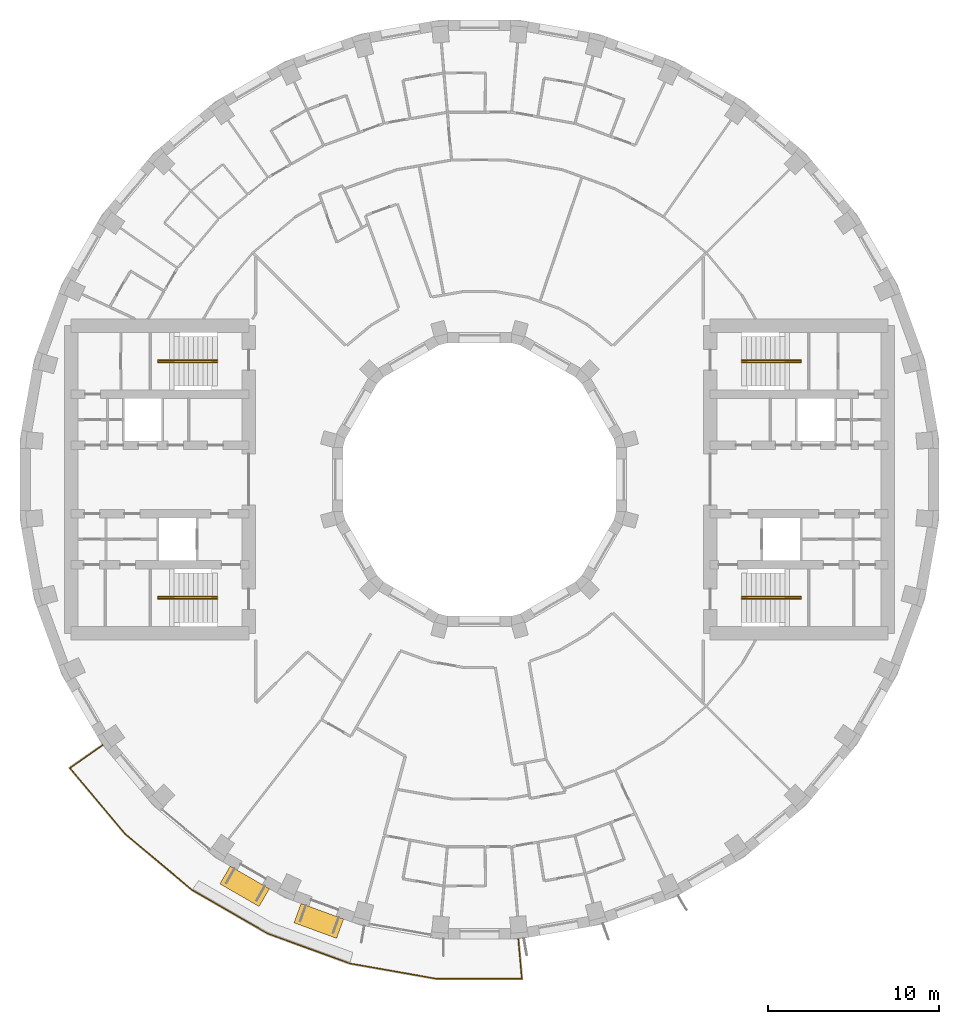
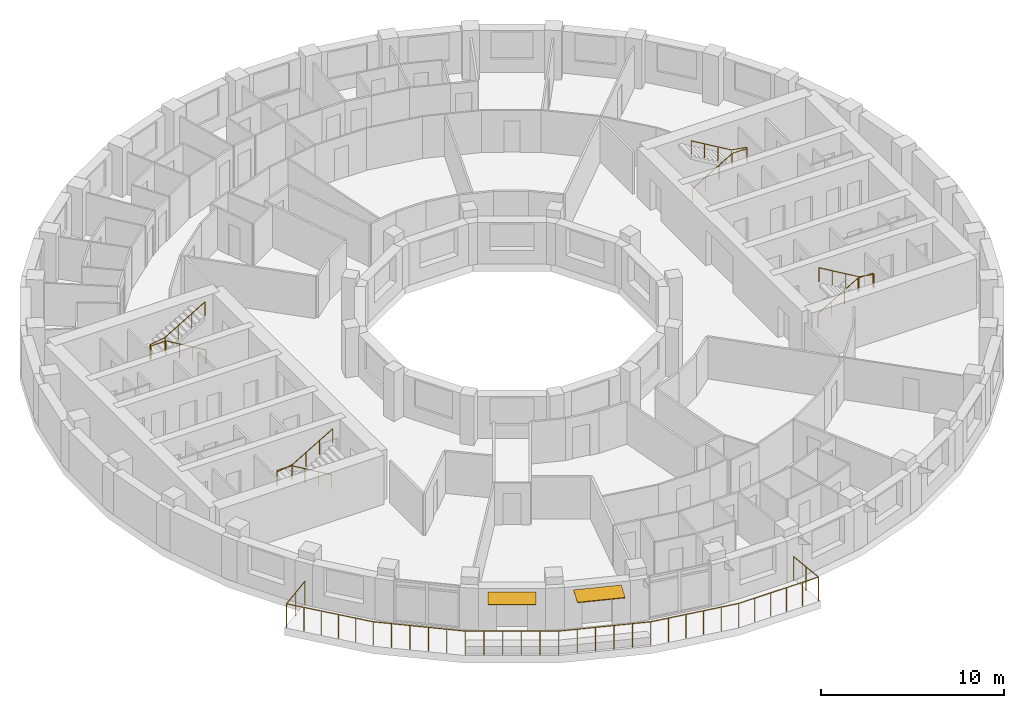
# One storey, part 14 of 14: 5 railings, 2 shading devices.
"""IFC4 building model written with IfcOpenShell, lengths in metres."""

from ifc_helpers import new_model, si_unit, direction, frame, origin, origin_2d, place, context, subcontext, project, spatial, rectangle, circle, extrude, material, layer, layer_set, type_object, element, save


model = new_model("IFC4")

# Units and contexts
model_context = context("Model", 3, precision=1e-05, world=origin(), true_north=direction((0.0, 1.0)))
body_context = subcontext(model_context, "Body", "Model", "MODEL_VIEW")
ifc_project = project(units=[si_unit("LENGTHUNIT", "METRE"), si_unit("AREAUNIT", "SQUARE_METRE"), si_unit("VOLUMEUNIT", "CUBIC_METRE"), si_unit("PLANEANGLEUNIT", "RADIAN"), si_unit("MASSUNIT", "GRAM", prefix="KILO")], contexts=[model_context])

# Site, building, storey
site_placement = place(None, origin())
site = spatial("IfcSite", under=ifc_project, at=site_placement, CompositionType="ELEMENT")
building_placement = place(site_placement, origin())
building = spatial("IfcBuilding", under=site, at=building_placement, Name="Saqina Gate Tower", CompositionType="ELEMENT")
storey_placement = place(building_placement, frame((0.0, 0.0, 138.10009765625)))
storey = spatial("IfcBuildingStorey", under=building, at=storey_placement, Name="L39", CompositionType="ELEMENT", Elevation=138.10009765625)

# Shading devices
ifc_material_1 = material(Name="Aluminium and fabric awning", Category="aluminium")
ifc_layer = layer(ifc_material_1, 0.050048828125)
ifc_layer_set = layer_set([ifc_layer], Name="AW-TERRACE")
shading_device_type = type_object("IfcShadingDeviceType", Name="AW-TERRACE", PredefinedType="AWNING", material=ifc_layer_set)
for number, where, z_axis, x_axis, name in (
    (1, (-13.74853515625, -23.813232421875, 2.52490234375), (0.0, 0.0, 1.0), (0.866025403784, -0.5, 0.0), "Terrace awning L39 facet 24"),
    (2, (-9.404541015625, -25.839111328125, 2.52490234375), (0.0, 0.0, 1.0), (0.939692620786, -0.342020143326, 0.0), "Terrace awning L39 facet 25"),
):
    element("IfcShadingDevice", number, at=place(storey_placement, frame(where, z_axis=z_axis, x_axis=x_axis)), inside=storey, type_object=shading_device_type, Name=name, PredefinedType="AWNING", context=body_context, shape_type="SweptSolid", body=[
        extrude(rectangle(XDim=2.647705078125, YDim=1.199951171875, at=origin_2d()), origin(), (0.0, 0.0, 1.0), 0.050048828125),
    ])

# Railings
ifc_material_2 = material(Name="Stainless steel", Category="steel")
railing_type_1 = type_object("IfcRailingType", Name="RL-TERRACE", PredefinedType="GUARDRAIL", material=ifc_material_2)
railing_1_placement = place(storey_placement, frame((-22.022216796875, -15.517578125, 0.0)))
element("IfcRailing", 3, at=railing_1_placement, inside=storey, type_object=railing_type_1, Name="Terrace guard L39", PredefinedType="GUARDRAIL", context=body_context, shape_type="SweptSolid", body=[
    extrude(circle(Radius=0.02392578125, at=origin_2d()), frame((0.0, 0.0, 1.576171875), z_axis=(-0.819111872113, -0.573633803889, 0.0), x_axis=(0.573633803889, -0.819111872113, 0.0)), (0.0, 0.0, 1.0), 2.388916015625),
    extrude(circle(Radius=0.02392578125, at=origin_2d()), frame((-1.956787109375, -1.370361328125, 1.576171875), z_axis=(0.643889225098, -0.765118726606, 0.0), x_axis=(0.765118726606, 0.643889225098, 0.0)), (0.0, 0.0, 1.0), 5.03271484375),
    extrude(circle(Radius=0.02392578125, at=origin_2d()), frame((1.28369140625, -5.220947265625, 1.576171875), z_axis=(0.766020862158, -0.642815711334, 0.0), x_axis=(0.642815711334, 0.766020862158, 0.0)), (0.0, 0.0, 1.0), 5.112548828125),
    extrude(circle(Radius=0.02392578125, at=origin_2d()), frame((5.199951171875, -8.50732421875, 1.576171875), z_axis=(0.866018575041, -0.500011827544, 0.0), x_axis=(0.500011827544, 0.866018575041, 0.0)), (0.0, 0.0, 1.0), 5.1123046875),
    extrude(circle(Radius=0.02392578125, at=origin_2d()), frame((9.627197265625, -11.0634765625, 1.576171875), z_axis=(0.939695786518, -0.342011445423, 0.0), x_axis=(0.342011445423, 0.939695786518, 0.0)), (0.0, 0.0, 1.0), 5.112548828125),
    extrude(circle(Radius=0.02392578125, at=origin_2d()), frame((14.431396484375, -12.81201171875, 1.576171875), z_axis=(0.984809508757, -0.173638220049, 0.0), x_axis=(0.173638220049, 0.984809508757, 0.0)), (0.0, 0.0, 1.0), 5.1123046875),
    extrude(circle(Radius=0.02392578125, at=origin_2d()), frame((19.466064453125, -13.69970703125, 1.576171875), z_axis=(0.999999077512, -0.001358298931, 0.0), x_axis=(0.001358298931, 0.999999077512, 0.0)), (0.0, 0.0, 1.0), 5.03271484375),
    extrude(circle(Radius=0.02392578125, at=origin_2d()), frame((24.498779296875, -13.70654296875, 1.576171875), z_axis=(-0.087180896688, 0.996192497087, 0.0), x_axis=(-0.996192497087, -0.087180896688, 0.0)), (0.0, 0.0, 1.0), 2.388671875),
    extrude(circle(Radius=0.02099609375, at=origin_2d()), origin(), (0.0, 0.0, 1.0), 1.552001953125),
    extrude(circle(Radius=0.02099609375, at=origin_2d()), frame((-0.978515625, -0.68505859375, 0.0)), (0.0, 0.0, 1.0), 1.552001953125),
    extrude(circle(Radius=0.02099609375, at=origin_2d()), frame((-1.956787109375, -1.370361328125, 0.0)), (0.0, 0.0, 1.0), 1.552001953125),
    extrude(circle(Radius=0.02099609375, at=origin_2d()), frame((-1.30859375, -2.140380859375, 0.0)), (0.0, 0.0, 1.0), 1.552001953125),
    extrude(circle(Radius=0.02099609375, at=origin_2d()), frame((-0.66064453125, -2.91064453125, 0.0)), (0.0, 0.0, 1.0), 1.552001953125),
    extrude(circle(Radius=0.02099609375, at=origin_2d()), frame((-0.012451171875, -3.6806640625, 0.0)), (0.0, 0.0, 1.0), 1.552001953125),
    extrude(circle(Radius=0.02099609375, at=origin_2d()), frame((0.635498046875, -4.450927734375, 0.0)), (0.0, 0.0, 1.0), 1.552001953125),
    extrude(circle(Radius=0.02099609375, at=origin_2d()), frame((1.28369140625, -5.220947265625, 0.0)), (0.0, 0.0, 1.0), 1.552001953125),
    extrude(circle(Radius=0.02099609375, at=origin_2d()), frame((2.06689453125, -5.878173828125, 0.0)), (0.0, 0.0, 1.0), 1.552001953125),
    extrude(circle(Radius=0.02099609375, at=origin_2d()), frame((2.85009765625, -6.535400390625, 0.0)), (0.0, 0.0, 1.0), 1.552001953125),
    extrude(circle(Radius=0.02099609375, at=origin_2d()), frame((3.633544921875, -7.19287109375, 0.0)), (0.0, 0.0, 1.0), 1.552001953125),
    extrude(circle(Radius=0.02099609375, at=origin_2d()), frame((4.416748046875, -7.85009765625, 0.0)), (0.0, 0.0, 1.0), 1.552001953125),
    extrude(circle(Radius=0.02099609375, at=origin_2d()), frame((5.199951171875, -8.50732421875, 0.0)), (0.0, 0.0, 1.0), 1.552001953125),
    extrude(circle(Radius=0.02099609375, at=origin_2d()), frame((6.08544921875, -9.0185546875, 0.0)), (0.0, 0.0, 1.0), 1.552001953125),
    extrude(circle(Radius=0.02099609375, at=origin_2d()), frame((6.970947265625, -9.52978515625, 0.0)), (0.0, 0.0, 1.0), 1.552001953125),
    extrude(circle(Radius=0.02099609375, at=origin_2d()), frame((7.856201171875, -10.041015625, 0.0)), (0.0, 0.0, 1.0), 1.552001953125),
    extrude(circle(Radius=0.02099609375, at=origin_2d()), frame((8.74169921875, -10.55224609375, 0.0)), (0.0, 0.0, 1.0), 1.552001953125),
    extrude(circle(Radius=0.02099609375, at=origin_2d()), frame((9.627197265625, -11.0634765625, 0.0)), (0.0, 0.0, 1.0), 1.552001953125),
    extrude(circle(Radius=0.02099609375, at=origin_2d()), frame((10.588134765625, -11.4130859375, 0.0)), (0.0, 0.0, 1.0), 1.552001953125),
    extrude(circle(Radius=0.02099609375, at=origin_2d()), frame((11.548828125, -11.762939453125, 0.0)), (0.0, 0.0, 1.0), 1.552001953125),
    extrude(circle(Radius=0.02099609375, at=origin_2d()), frame((12.509765625, -12.112548828125, 0.0)), (0.0, 0.0, 1.0), 1.552001953125),
    extrude(circle(Radius=0.02099609375, at=origin_2d()), frame((13.470458984375, -12.46240234375, 0.0)), (0.0, 0.0, 1.0), 1.552001953125),
    extrude(circle(Radius=0.02099609375, at=origin_2d()), frame((14.431396484375, -12.81201171875, 0.0)), (0.0, 0.0, 1.0), 1.552001953125),
    extrude(circle(Radius=0.02099609375, at=origin_2d()), frame((15.438232421875, -12.989501953125, 0.0)), (0.0, 0.0, 1.0), 1.552001953125),
    extrude(circle(Radius=0.02099609375, at=origin_2d()), frame((16.4453125, -13.1669921875, 0.0)), (0.0, 0.0, 1.0), 1.552001953125),
    extrude(circle(Radius=0.02099609375, at=origin_2d()), frame((17.4521484375, -13.3447265625, 0.0)), (0.0, 0.0, 1.0), 1.552001953125),
    extrude(circle(Radius=0.02099609375, at=origin_2d()), frame((18.459228515625, -13.522216796875, 0.0)), (0.0, 0.0, 1.0), 1.552001953125),
    extrude(circle(Radius=0.02099609375, at=origin_2d()), frame((19.466064453125, -13.69970703125, 0.0)), (0.0, 0.0, 1.0), 1.552001953125),
    extrude(circle(Radius=0.02099609375, at=origin_2d()), frame((20.47265625, -13.701171875, 0.0)), (0.0, 0.0, 1.0), 1.552001953125),
    extrude(circle(Radius=0.02099609375, at=origin_2d()), frame((21.479248046875, -13.702392578125, 0.0)), (0.0, 0.0, 1.0), 1.552001953125),
    extrude(circle(Radius=0.02099609375, at=origin_2d()), frame((22.485595703125, -13.703857421875, 0.0)), (0.0, 0.0, 1.0), 1.552001953125),
    extrude(circle(Radius=0.02099609375, at=origin_2d()), frame((23.4921875, -13.705078125, 0.0)), (0.0, 0.0, 1.0), 1.552001953125),
    extrude(circle(Radius=0.02099609375, at=origin_2d()), frame((24.498779296875, -13.70654296875, 0.0)), (0.0, 0.0, 1.0), 1.552001953125),
    extrude(circle(Radius=0.02099609375, at=origin_2d()), frame((24.39453125, -12.5166015625, 0.0)), (0.0, 0.0, 1.0), 1.552001953125),
    extrude(circle(Radius=0.02099609375, at=origin_2d()), frame((24.29052734375, -11.326904296875, 0.0)), (0.0, 0.0, 1.0), 1.552001953125),
])
ifc_material_3 = material(Name="Stainless steel", Category="steel")
railing_type_2 = type_object("IfcRailingType", Name="STAIR HANDRAIL", PredefinedType="HANDRAIL", material=ifc_material_3)
railing_2_placement = place(storey_placement, frame((15.35009765625, 6.86669921875, 0.164794921875)))
element("IfcRailing", 4, at=railing_2_placement, inside=storey, type_object=railing_type_2, Name="EXIT STAIR 1 HANDRAIL", PredefinedType="HANDRAIL", context=body_context, shape_type="SweptSolid", body=[
    extrude(circle(Radius=0.02392578125, at=origin_2d()), frame((0.0, 0.0, 0.92578125), z_axis=(0.86152411907, 0.0, 0.507716645641), x_axis=(0.0, 1.0, 0.0)), (0.0, 0.0, 1.0), 2.925048828125),
    extrude(circle(Radius=0.02392578125, at=origin_2d()), frame((2.52001953125, 0.0, 2.4111328125), z_axis=(1.0, 0.0, 0.0), x_axis=(0.0, 1.0, 0.0)), (0.0, 0.0, 1.0), 0.949951171875),
    extrude(circle(Radius=0.02392578125, at=origin_2d()), frame((3.469970703125, 0.0, 2.4111328125), z_axis=(0.0, 1.0, 0.0), x_axis=(-1.0, 0.0, 0.0)), (0.0, 0.0, 1.0), 0.11669921875),
    extrude(circle(Radius=0.02392578125, at=origin_2d()), frame((3.469970703125, 0.11669921875, 2.4111328125), z_axis=(-0.985241474778, 0.0, 0.171170197109), x_axis=(0.0, -1.0, 0.0)), (0.0, 0.0, 1.0), 0.964111328125),
    extrude(circle(Radius=0.02392578125, at=origin_2d()), frame((2.52001953125, 0.11669921875, 2.576171875), z_axis=(-0.861560626758, 0.0, 0.507654692109), x_axis=(0.0, -1.0, 0.0)), (0.0, 0.0, 1.0), 2.925048828125),
    extrude(circle(Radius=0.02099609375, at=origin_2d()), origin(), (0.0, 0.0, 1.0), 0.90185546875),
    extrude(circle(Radius=0.02099609375, at=origin_2d()), frame((0.840087890625, 0.0, 0.4951171875)), (0.0, 0.0, 1.0), 0.90185546875),
    extrude(circle(Radius=0.02099609375, at=origin_2d()), frame((1.679931640625, 0.0, 0.989990234375)), (0.0, 0.0, 1.0), 0.90185546875),
    extrude(circle(Radius=0.02099609375, at=origin_2d()), frame((2.52001953125, 0.0, 1.485107421875)), (0.0, 0.0, 1.0), 0.90185546875),
    extrude(circle(Radius=0.02099609375, at=origin_2d()), frame((3.469970703125, 0.0, 1.485107421875)), (0.0, 0.0, 1.0), 0.90185546875),
    extrude(circle(Radius=0.02099609375, at=origin_2d()), frame((3.469970703125, 0.11669921875, 1.485107421875)), (0.0, 0.0, 1.0), 0.90185546875),
    extrude(circle(Radius=0.02099609375, at=origin_2d()), frame((2.52001953125, 0.11669921875, 1.650146484375)), (0.0, 0.0, 1.0), 0.90185546875),
    extrude(circle(Radius=0.02099609375, at=origin_2d()), frame((1.679931640625, 0.11669921875, 2.14501953125)), (0.0, 0.0, 1.0), 0.90185546875),
    extrude(circle(Radius=0.02099609375, at=origin_2d()), frame((0.840087890625, 0.11669921875, 2.64013671875)), (0.0, 0.0, 1.0), 0.90185546875),
    extrude(circle(Radius=0.02099609375, at=origin_2d()), frame((0.0, 0.11669921875, 3.135009765625)), (0.0, 0.0, 1.0), 0.90185546875),
])
railing_3_placement = place(storey_placement, frame((15.35009765625, -6.86669921875, 0.164794921875)))
element("IfcRailing", 5, at=railing_3_placement, inside=storey, type_object=railing_type_2, Name="EXIT STAIR 2 HANDRAIL", PredefinedType="HANDRAIL", context=body_context, shape_type="SweptSolid", body=[
    extrude(circle(Radius=0.02392578125, at=origin_2d()), frame((0.0, 0.0, 0.92578125), z_axis=(0.86152411907, 0.0, 0.507716645641), x_axis=(0.0, 1.0, 0.0)), (0.0, 0.0, 1.0), 2.925048828125),
    extrude(circle(Radius=0.02392578125, at=origin_2d()), frame((2.52001953125, 0.0, 2.4111328125), z_axis=(1.0, 0.0, 0.0), x_axis=(0.0, 1.0, 0.0)), (0.0, 0.0, 1.0), 0.949951171875),
    extrude(circle(Radius=0.02392578125, at=origin_2d()), frame((3.469970703125, 0.0, 2.4111328125), z_axis=(0.0, -1.0, 0.0), x_axis=(1.0, 0.0, 0.0)), (0.0, 0.0, 1.0), 0.11669921875),
    extrude(circle(Radius=0.02392578125, at=origin_2d()), frame((3.469970703125, -0.11669921875, 2.4111328125), z_axis=(-0.985241474778, 0.0, 0.171170197109), x_axis=(0.0, -1.0, 0.0)), (0.0, 0.0, 1.0), 0.964111328125),
    extrude(circle(Radius=0.02392578125, at=origin_2d()), frame((2.52001953125, -0.11669921875, 2.576171875), z_axis=(-0.861560626758, 0.0, 0.507654692109), x_axis=(0.0, -1.0, 0.0)), (0.0, 0.0, 1.0), 2.925048828125),
    extrude(circle(Radius=0.02099609375, at=origin_2d()), origin(), (0.0, 0.0, 1.0), 0.90185546875),
    extrude(circle(Radius=0.02099609375, at=origin_2d()), frame((0.840087890625, 0.0, 0.4951171875)), (0.0, 0.0, 1.0), 0.90185546875),
    extrude(circle(Radius=0.02099609375, at=origin_2d()), frame((1.679931640625, 0.0, 0.989990234375)), (0.0, 0.0, 1.0), 0.90185546875),
    extrude(circle(Radius=0.02099609375, at=origin_2d()), frame((2.52001953125, 0.0, 1.485107421875)), (0.0, 0.0, 1.0), 0.90185546875),
    extrude(circle(Radius=0.02099609375, at=origin_2d()), frame((3.469970703125, 0.0, 1.485107421875)), (0.0, 0.0, 1.0), 0.90185546875),
    extrude(circle(Radius=0.02099609375, at=origin_2d()), frame((3.469970703125, -0.11669921875, 1.485107421875)), (0.0, 0.0, 1.0), 0.90185546875),
    extrude(circle(Radius=0.02099609375, at=origin_2d()), frame((2.52001953125, -0.11669921875, 1.650146484375)), (0.0, 0.0, 1.0), 0.90185546875),
    extrude(circle(Radius=0.02099609375, at=origin_2d()), frame((1.679931640625, -0.11669921875, 2.14501953125)), (0.0, 0.0, 1.0), 0.90185546875),
    extrude(circle(Radius=0.02099609375, at=origin_2d()), frame((0.840087890625, -0.11669921875, 2.64013671875)), (0.0, 0.0, 1.0), 0.90185546875),
    extrude(circle(Radius=0.02099609375, at=origin_2d()), frame((0.0, -0.11669921875, 3.135009765625)), (0.0, 0.0, 1.0), 0.90185546875),
])
railing_4_placement = place(storey_placement, frame((-15.35009765625, 6.86669921875, 0.164794921875)))
element("IfcRailing", 6, at=railing_4_placement, inside=storey, type_object=railing_type_2, Name="EXIT STAIR 3 HANDRAIL", PredefinedType="HANDRAIL", context=body_context, shape_type="SweptSolid", body=[
    extrude(circle(Radius=0.02392578125, at=origin_2d()), frame((0.0, 0.0, 0.92578125), z_axis=(-0.86152411907, 0.0, 0.507716645641), x_axis=(0.0, -1.0, 0.0)), (0.0, 0.0, 1.0), 2.925048828125),
    extrude(circle(Radius=0.02392578125, at=origin_2d()), frame((-2.52001953125, 0.0, 2.4111328125), z_axis=(-1.0, 0.0, 0.0), x_axis=(0.0, -1.0, 0.0)), (0.0, 0.0, 1.0), 0.949951171875),
    extrude(circle(Radius=0.02392578125, at=origin_2d()), frame((-3.469970703125, 0.0, 2.4111328125), z_axis=(0.0, 1.0, 0.0), x_axis=(-1.0, 0.0, 0.0)), (0.0, 0.0, 1.0), 0.11669921875),
    extrude(circle(Radius=0.02392578125, at=origin_2d()), frame((-3.469970703125, 0.11669921875, 2.4111328125), z_axis=(0.985241474778, 0.0, 0.171170197109), x_axis=(0.0, 1.0, 0.0)), (0.0, 0.0, 1.0), 0.964111328125),
    extrude(circle(Radius=0.02392578125, at=origin_2d()), frame((-2.52001953125, 0.11669921875, 2.576171875), z_axis=(0.861560626758, 0.0, 0.507654692109), x_axis=(0.0, 1.0, 0.0)), (0.0, 0.0, 1.0), 2.925048828125),
    extrude(circle(Radius=0.02099609375, at=origin_2d()), origin(), (0.0, 0.0, 1.0), 0.90185546875),
    extrude(circle(Radius=0.02099609375, at=origin_2d()), frame((-0.840087890625, 0.0, 0.4951171875)), (0.0, 0.0, 1.0), 0.90185546875),
    extrude(circle(Radius=0.02099609375, at=origin_2d()), frame((-1.679931640625, 0.0, 0.989990234375)), (0.0, 0.0, 1.0), 0.90185546875),
    extrude(circle(Radius=0.02099609375, at=origin_2d()), frame((-2.52001953125, 0.0, 1.485107421875)), (0.0, 0.0, 1.0), 0.90185546875),
    extrude(circle(Radius=0.02099609375, at=origin_2d()), frame((-3.469970703125, 0.0, 1.485107421875)), (0.0, 0.0, 1.0), 0.90185546875),
    extrude(circle(Radius=0.02099609375, at=origin_2d()), frame((-3.469970703125, 0.11669921875, 1.485107421875)), (0.0, 0.0, 1.0), 0.90185546875),
    extrude(circle(Radius=0.02099609375, at=origin_2d()), frame((-2.52001953125, 0.11669921875, 1.650146484375)), (0.0, 0.0, 1.0), 0.90185546875),
    extrude(circle(Radius=0.02099609375, at=origin_2d()), frame((-1.679931640625, 0.11669921875, 2.14501953125)), (0.0, 0.0, 1.0), 0.90185546875),
    extrude(circle(Radius=0.02099609375, at=origin_2d()), frame((-0.840087890625, 0.11669921875, 2.64013671875)), (0.0, 0.0, 1.0), 0.90185546875),
    extrude(circle(Radius=0.02099609375, at=origin_2d()), frame((0.0, 0.11669921875, 3.135009765625)), (0.0, 0.0, 1.0), 0.90185546875),
])
railing_5_placement = place(storey_placement, frame((-15.35009765625, -6.86669921875, 0.164794921875)))
element("IfcRailing", 7, at=railing_5_placement, inside=storey, type_object=railing_type_2, Name="EXIT STAIR 4 HANDRAIL", PredefinedType="HANDRAIL", context=body_context, shape_type="SweptSolid", body=[
    extrude(circle(Radius=0.02392578125, at=origin_2d()), frame((0.0, 0.0, 0.92578125), z_axis=(-0.86152411907, 0.0, 0.507716645641), x_axis=(0.0, -1.0, 0.0)), (0.0, 0.0, 1.0), 2.925048828125),
    extrude(circle(Radius=0.02392578125, at=origin_2d()), frame((-2.52001953125, 0.0, 2.4111328125), z_axis=(-1.0, 0.0, 0.0), x_axis=(0.0, -1.0, 0.0)), (0.0, 0.0, 1.0), 0.949951171875),
    extrude(circle(Radius=0.02392578125, at=origin_2d()), frame((-3.469970703125, 0.0, 2.4111328125), z_axis=(0.0, -1.0, 0.0), x_axis=(1.0, 0.0, 0.0)), (0.0, 0.0, 1.0), 0.11669921875),
    extrude(circle(Radius=0.02392578125, at=origin_2d()), frame((-3.469970703125, -0.11669921875, 2.4111328125), z_axis=(0.985241474778, 0.0, 0.171170197109), x_axis=(0.0, 1.0, 0.0)), (0.0, 0.0, 1.0), 0.964111328125),
    extrude(circle(Radius=0.02392578125, at=origin_2d()), frame((-2.52001953125, -0.11669921875, 2.576171875), z_axis=(0.861560626758, 0.0, 0.507654692109), x_axis=(0.0, 1.0, 0.0)), (0.0, 0.0, 1.0), 2.925048828125),
    extrude(circle(Radius=0.02099609375, at=origin_2d()), origin(), (0.0, 0.0, 1.0), 0.90185546875),
    extrude(circle(Radius=0.02099609375, at=origin_2d()), frame((-0.840087890625, 0.0, 0.4951171875)), (0.0, 0.0, 1.0), 0.90185546875),
    extrude(circle(Radius=0.02099609375, at=origin_2d()), frame((-1.679931640625, 0.0, 0.989990234375)), (0.0, 0.0, 1.0), 0.90185546875),
    extrude(circle(Radius=0.02099609375, at=origin_2d()), frame((-2.52001953125, 0.0, 1.485107421875)), (0.0, 0.0, 1.0), 0.90185546875),
    extrude(circle(Radius=0.02099609375, at=origin_2d()), frame((-3.469970703125, 0.0, 1.485107421875)), (0.0, 0.0, 1.0), 0.90185546875),
    extrude(circle(Radius=0.02099609375, at=origin_2d()), frame((-3.469970703125, -0.11669921875, 1.485107421875)), (0.0, 0.0, 1.0), 0.90185546875),
    extrude(circle(Radius=0.02099609375, at=origin_2d()), frame((-2.52001953125, -0.11669921875, 1.650146484375)), (0.0, 0.0, 1.0), 0.90185546875),
    extrude(circle(Radius=0.02099609375, at=origin_2d()), frame((-1.679931640625, -0.11669921875, 2.14501953125)), (0.0, 0.0, 1.0), 0.90185546875),
    extrude(circle(Radius=0.02099609375, at=origin_2d()), frame((-0.840087890625, -0.11669921875, 2.64013671875)), (0.0, 0.0, 1.0), 0.90185546875),
    extrude(circle(Radius=0.02099609375, at=origin_2d()), frame((0.0, -0.11669921875, 3.135009765625)), (0.0, 0.0, 1.0), 0.90185546875),
])

save(model, "model.ifc")
